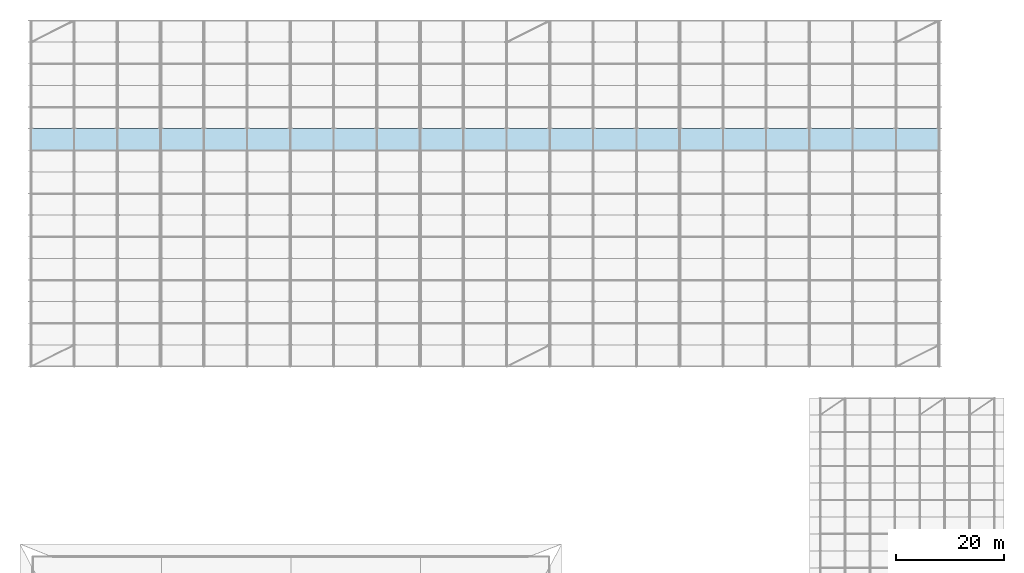
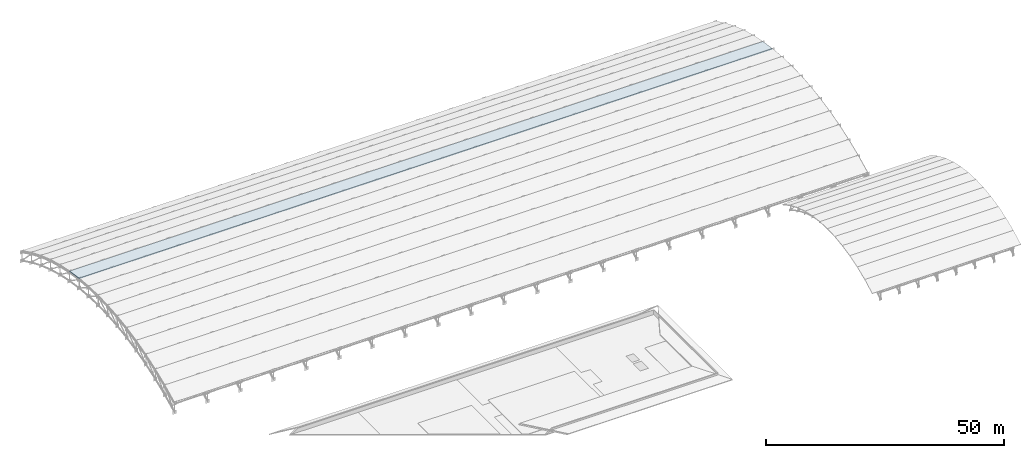
# One storey, part 82 of 98: 1 slab.
"""IFC4 building model written with IfcOpenShell, lengths in metres."""

import ifcopenshell
import ifcopenshell.guid

model = None  # the IFC model being written
_history = None  # IfcOwnerHistory: only IFC2X3 demands one
_inside = {}  # id of a spatial element -> (the spatial element, [elements in it])
_under = {}  # id of a project, library or spatial element -> (it, [spatial elements below it])
_declared = {}  # id of a project -> (the project, [libraries it declares])
_typed = {}  # id of a type object -> (the type object, [elements of that type])
_made_of = {}  # id of a material, layer set ... -> (it, [elements and type objects made of it])


def new_model(schema):
    """Start an empty IFC model of exactly this schema.

    Asked for "IFC4X3", IfcOpenShell would pick the latest addendum, in which some entities
    have other attributes; the version numbers below select the first issue.
    IFC2X3 requires an IfcOwnerHistory on every rooted entity: one is made here for all.
    """
    global model, _history
    if schema == "IFC4X3":
        model = ifcopenshell.file(schema_version=(4, 3, 0, 0))
    else:
        model = ifcopenshell.file(schema=schema)
    _inside.clear()
    _under.clear()
    _declared.clear()
    _typed.clear()
    _made_of.clear()
    _history = None
    if model.schema == "IFC2X3":
        org = make("IfcOrganization", Name="unknown")
        user = make(
            "IfcPersonAndOrganization",
            ThePerson=make("IfcPerson", FamilyName="unknown"),
            TheOrganization=org,
        )
        app = make(
            "IfcApplication",
            ApplicationDeveloper=org,
            Version="unknown",
            ApplicationFullName="unknown",
            ApplicationIdentifier="unknown",
        )
        _history = make(
            "IfcOwnerHistory",
            OwningUser=user,
            OwningApplication=app,
            ChangeAction="ADDED",
            CreationDate=0,
        )
    return model


def make(cls, **values):
    """One entity of the class cls with the attributes given. An attribute that is None is left unset."""
    return model.create_entity(
        cls, **{name: value for name, value in values.items() if value is not None}
    )


def rooted(cls, **values):
    """An entity with a GlobalId (a new one), such as an element, a storey or a relation."""
    return make(cls, GlobalId=ifcopenshell.guid.new(), OwnerHistory=_history, **values)


def si_unit(unit_type, name, prefix=None):
    """IfcSIUnit, for example si_unit("LENGTHUNIT", "METRE", prefix="MILLI")."""
    return make("IfcSIUnit", UnitType=unit_type, Prefix=prefix, Name=name)


def assignment(units):
    """IfcUnitAssignment: the units of a project."""
    return None if units is None else make("IfcUnitAssignment", Units=units)


def point(xyz):
    """IfcCartesianPoint."""
    return None if xyz is None else make("IfcCartesianPoint", Coordinates=xyz)


def direction(xyz):
    """IfcDirection."""
    return None if xyz is None else make("IfcDirection", DirectionRatios=xyz)


def frame(location, z_axis=None, x_axis=None):
    """IfcAxis2Placement3D, a coordinate frame: its origin and axes. An axis left out is left unset."""
    return make(
        "IfcAxis2Placement3D",
        Location=point(location),
        Axis=direction(z_axis),
        RefDirection=direction(x_axis),
    )


def origin():
    """The frame at (0, 0, 0) with its axes left unset."""
    return frame((0.0, 0.0, 0.0))


def place(relative_to, where):
    """IfcLocalPlacement: puts the frame where relative to a parent placement (None: the world)."""
    return make(
        "IfcLocalPlacement", PlacementRelTo=relative_to, RelativePlacement=where
    )


def context(
    kind, dimensions, precision=None, world=None, true_north=None, identifier=None
):
    """IfcGeometricRepresentationContext, for example the 3D "Model" context."""
    return make(
        "IfcGeometricRepresentationContext",
        ContextIdentifier=identifier,
        ContextType=kind,
        CoordinateSpaceDimension=dimensions,
        Precision=precision,
        WorldCoordinateSystem=world,
        TrueNorth=true_north,
    )


def subcontext(parent, identifier, kind, view, scale=None):
    """IfcGeometricRepresentationSubContext, for example "Body" below "Model"."""
    return make(
        "IfcGeometricRepresentationSubContext",
        ContextIdentifier=identifier,
        ContextType=kind,
        ParentContext=parent,
        TargetScale=scale,
        TargetView=view,
    )


def project(units=None, contexts=None):
    """IfcProject with its units and contexts."""
    return rooted(
        "IfcProject",
        Name="project",
        RepresentationContexts=contexts,
        UnitsInContext=assignment(units),
    )


def spatial(cls, under=None, at=None, **own):
    """A site, building, storey or space (cls), placed at a placement, below another one or the project."""
    s = rooted(cls, ObjectPlacement=at, **own)
    if under is not None:
        _under.setdefault(under.id(), (under, []))[1].append(s)
    return s


def polyline(points):
    """IfcPolyline through the points."""
    return make("IfcPolyline", Points=[point(p) for p in points])


def outline(outer, holes=None, kind="AREA"):
    """IfcArbitraryClosedProfileDef: a profile drawn as a closed curve; with holes, ...WithVoids."""
    if holes is None:
        return make("IfcArbitraryClosedProfileDef", ProfileType=kind, OuterCurve=outer)
    return make(
        "IfcArbitraryProfileDefWithVoids",
        ProfileType=kind,
        OuterCurve=outer,
        InnerCurves=holes,
    )


def extrude(swept, where, along, depth):
    """IfcExtrudedAreaSolid: the profile swept, set in the frame where, extruded along a direction by depth."""
    return make(
        "IfcExtrudedAreaSolid",
        SweptArea=swept,
        Position=where,
        ExtrudedDirection=direction(along),
        Depth=depth,
    )


def shape(context_of_items, identifier, shape_type, items):
    """IfcShapeRepresentation: the items that make up one representation, for example the "Body"."""
    return make(
        "IfcShapeRepresentation",
        ContextOfItems=context_of_items,
        RepresentationIdentifier=identifier,
        RepresentationType=shape_type,
        Items=items,
    )


def material(Name=None, Category=None):
    """IfcMaterial."""
    return make("IfcMaterial", Name=Name, Category=Category)


def layer(
    of_material, thickness, ventilated=None, Name=None, Category=None, Priority=None
):
    """IfcMaterialLayer: one layer of a wall or slab, of a material (None: an air gap)."""
    return make(
        "IfcMaterialLayer",
        Material=of_material,
        LayerThickness=thickness,
        IsVentilated=ventilated,
        Name=Name,
        Category=Category,
        Priority=Priority,
    )


def layer_set(layers, Name=None):
    """IfcMaterialLayerSet."""
    return make("IfcMaterialLayerSet", MaterialLayers=layers, LayerSetName=Name)


def made_of(thing, what):
    """Note that an element or type object is made of a material, layer set ...; save() writes the relation."""
    if what is not None:
        _made_of.setdefault(what.id(), (what, []))[1].append(thing)
    return thing


def type_object(cls, material=None, **own):
    """A type object (cls), such as IfcWallType, which elements share."""
    return made_of(rooted(cls, **own), material)


def element(
    cls,
    number,
    at=None,
    inside=None,
    cuts=None,
    type_object=None,
    material=None,
    context=None,
    identifier="Body",
    shape_type=None,
    held_by="IfcProductDefinitionShape",
    body=None,
    shapes=None,
    **own,
):
    """One element of the class cls, such as IfcWall. Its Tag is "e" and its number.

    at: its placement. inside: the storey or other place that contains it. cuts: it is an
    opening in that element (IfcRelVoidsElement). A single representation is given by context,
    identifier, shape_type and body (its items); several are given by shapes. held_by: the class
    of the entity that holds the representations. save() writes the other relations.
    """
    e = rooted(cls, Tag="e%d" % number, ObjectPlacement=at, **own)
    if body is not None:
        shapes = [shape(context, identifier, shape_type, body)]
    if shapes is not None:
        e.Representation = make(held_by, Representations=shapes)
    if inside is not None:
        _inside.setdefault(inside.id(), (inside, []))[1].append(e)
    if cuts is not None:
        rooted(
            "IfcRelVoidsElement", RelatingBuildingElement=cuts, RelatedOpeningElement=e
        )
    if type_object is not None:
        _typed.setdefault(type_object.id(), (type_object, []))[1].append(e)
    return made_of(e, material)


def aggregate(whole, parts):
    """IfcRelAggregates: a whole, such as a stair, and the parts it consists of."""
    return rooted("IfcRelAggregates", RelatingObject=whole, RelatedObjects=parts)


def save(model, path):
    """Write the relations noted so far, then the file.

    IfcRelAggregates (storeys below a building ...), IfcRelContainedInSpatialStructure (elements
    in a storey), IfcRelDefinesByType, IfcRelAssociatesMaterial and IfcRelDeclares: one each for
    every whole, place, type object, material and project.
    """
    for whole, parts in _under.values():
        aggregate(whole, parts)
    for where, things in _inside.values():
        rooted(
            "IfcRelContainedInSpatialStructure",
            RelatedElements=things,
            RelatingStructure=where,
        )
    for kind, things in _typed.values():
        rooted("IfcRelDefinesByType", RelatedObjects=things, RelatingType=kind)
    for what, things in _made_of.values():
        rooted("IfcRelAssociatesMaterial", RelatedObjects=things, RelatingMaterial=what)
    for by, libraries in _declared.values():
        rooted("IfcRelDeclares", RelatingContext=by, RelatedDefinitions=libraries)
    model.write(path)


model = new_model("IFC4")

# Units and contexts
model_context = context("Model", 3, precision=1e-05, world=origin(), true_north=direction((0.0, 1.0)))
body_context = subcontext(model_context, "Body", "Model", "MODEL_VIEW")
ifc_project = project(units=[si_unit("LENGTHUNIT", "METRE"), si_unit("AREAUNIT", "SQUARE_METRE"), si_unit("VOLUMEUNIT", "CUBIC_METRE"), si_unit("PLANEANGLEUNIT", "RADIAN"), si_unit("MASSUNIT", "GRAM", prefix="KILO")], contexts=[model_context])

# Site, building, storey
site_placement = place(None, origin())
site = spatial("IfcSite", under=ifc_project, at=site_placement, CompositionType="ELEMENT")
building_placement = place(site_placement, origin())
building = spatial("IfcBuilding", under=site, at=building_placement, Name="Tlacozan Convention Centre", CompositionType="ELEMENT")
storey_placement = place(building_placement, frame((0.0, 0.0, 25.800048828125)))
storey = spatial("IfcBuildingStorey", under=building, at=storey_placement, Name="Roof", CompositionType="ELEMENT", Elevation=25.800048828125)

# Slab
ifc_material = material(Name="Concrete C40/50", Category="concrete")
ifc_layer = layer(ifc_material, 0.179931640625)
ifc_layer_set = layer_set([ifc_layer], Name="Concrete C40/50")
slab_type = type_object("IfcSlabType", Name="Exhibition Arched Roof Deck 180", PredefinedType="ROOF", material=ifc_layer_set)
slab_placement = place(storey_placement, frame((0.0, 102.0, -2.76220703125), z_axis=(0.0, 0.147124064872, 0.98911804631), x_axis=(1.0, 0.0, 0.0)))
element("IfcSlab", 1, at=slab_placement, inside=storey, type_object=slab_type, Name="V2A Arched Roof Facet Slab 11", PredefinedType="ROOF", context=body_context, shape_type="SweptSolid", body=[
    extrude(outline(polyline([(0.0, 0.0), (168.0, 0.0), (168.0, 4.044006693562346), (0.0, 4.044006693562346), (0.0, 0.0)])), origin(), (0.0, 0.0, -1.0), 0.179931640625),
])

save(model, "model.ifc")
